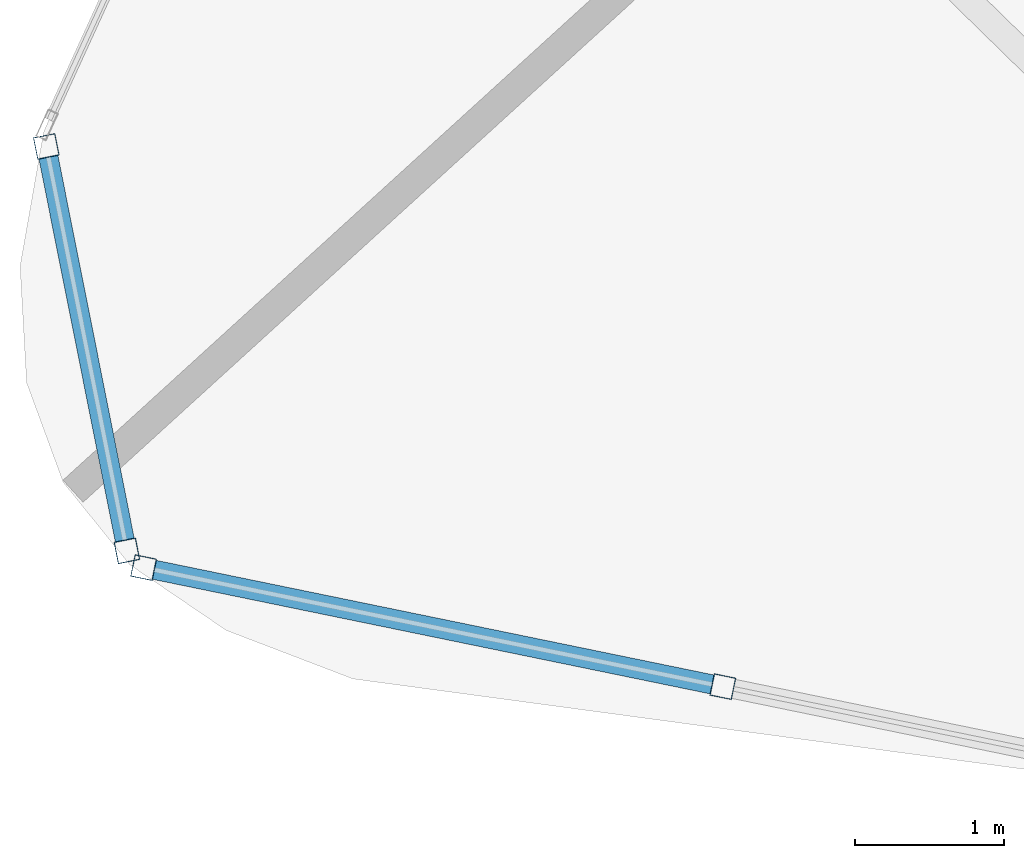
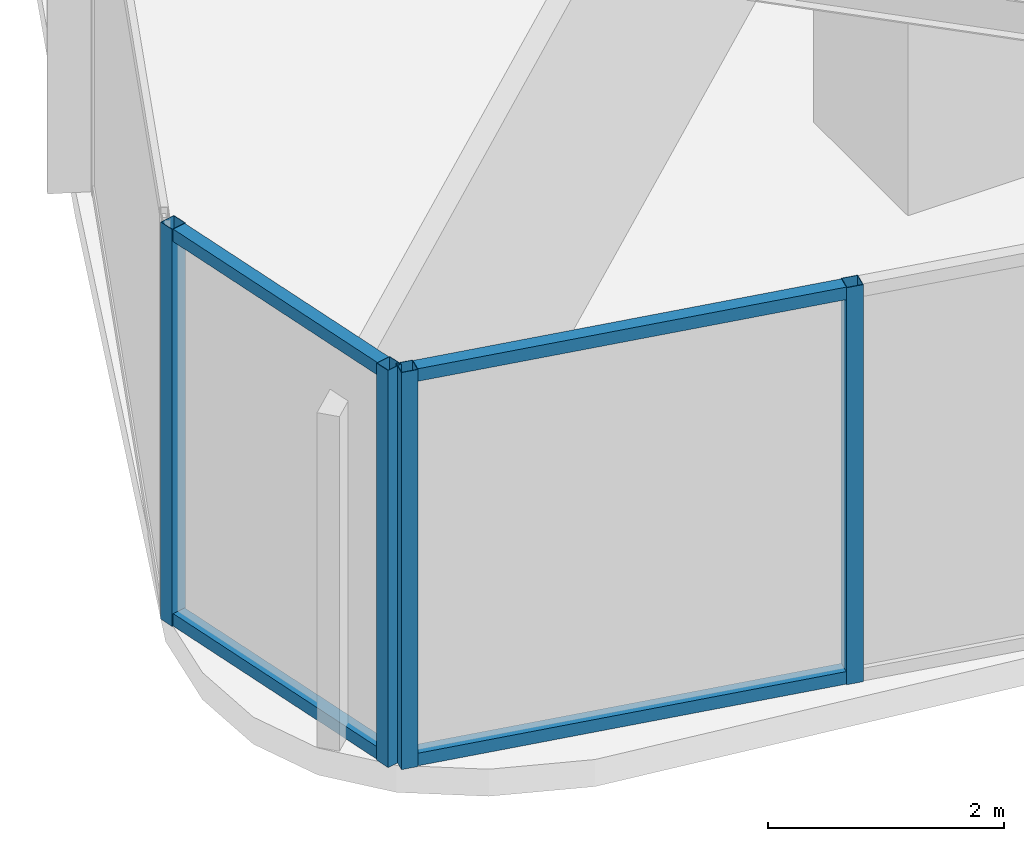
# One storey, part 2 of 33: 8 members, 2 elements without a shape of their own.
"""IFC4 building model written with IfcOpenShell, lengths in metres."""

from ifc_helpers import new_model, si_unit, direction, frame, origin, origin_2d, place, context, subcontext, project, spatial, hollow_rectangle, extrude, material, layer, layer_set, material_profile, profile_set, type_object, element, aggregate, save


model = new_model("IFC4")

# Units and contexts
model_context = context("Model", 3, precision=1e-05, world=origin(), true_north=direction((0.0, 1.0)))
body_context = subcontext(model_context, "Body", "Model", "MODEL_VIEW")
ifc_project = project(units=[si_unit("LENGTHUNIT", "METRE"), si_unit("AREAUNIT", "SQUARE_METRE"), si_unit("VOLUMEUNIT", "CUBIC_METRE"), si_unit("PLANEANGLEUNIT", "RADIAN"), si_unit("MASSUNIT", "GRAM", prefix="KILO")], contexts=[model_context])

# Site, building, storey
site_placement = place(None, origin())
site = spatial("IfcSite", under=ifc_project, at=site_placement, CompositionType="ELEMENT")
building_placement = place(site_placement, origin())
building = spatial("IfcBuilding", under=site, at=building_placement, Name="Orvanel Arch Residences", CompositionType="ELEMENT")
storey_placement = place(building_placement, frame((0.0, 0.0, 59.89990234375)))
storey = spatial("IfcBuildingStorey", under=building, at=storey_placement, Name="L16", CompositionType="ELEMENT", Elevation=59.89990234375)

# Curtain wall, members
ifc_material = material(Name="Bronze-anodised aluminium AA6063-T6", Category="aluminium")
ifc_layer = layer(ifc_material, 0.18994140625)
ifc_layer_set = layer_set([ifc_layer], Name="Bronze-anodised aluminium AA6063-T6")
curtain_wall_type = type_object("IfcCurtainWallType", Name="CW5-CRN-SYS", PredefinedType="NOTDEFINED", material=ifc_layer_set)
curtain_wall_1_placement = place(storey_placement, origin())
curtain_wall_1 = element("IfcCurtainWall", 1, at=curtain_wall_1_placement, inside=storey, type_object=curtain_wall_type, Name="L16 CW5-CRN-SYS Unitised Curtain Wall", PredefinedType="NOTDEFINED")
ifc_material_profile_1 = material_profile(ifc_material, hollow_rectangle(XDim=0.14990234375, YDim=0.14990234375, WallThickness=0.0048828125, at=origin_2d()), Name="ALU150x150x5")
ifc_profile_set_1 = profile_set([ifc_material_profile_1], Name="Bronze-anodised aluminium AA6063-T6")
member_type_1 = type_object("IfcMemberType", Name="MUL-150x150", PredefinedType="MULLION", material=ifc_profile_set_1)
member_1_placement = place(storey_placement, frame((5.019775390625, 7.49853515625, 0.0), z_axis=(0.0, 0.0, 1.0), x_axis=(0.980685747083, 0.1955900444, 0.0)))
member_1 = element("IfcMember", 2, at=member_1_placement, type_object=member_type_1, Name="CW-S5 mullion 1", PredefinedType="MULLION", context=body_context, shape_type="SweptSolid", body=[
    extrude(hollow_rectangle(XDim=0.14990234375, YDim=0.14990234375, WallThickness=0.0048828125, at=origin_2d()), origin(), (0.0, 0.0, 1.0), 4.110107421875),
])
member_2_placement = place(storey_placement, frame((5.562255859375, 4.777587890625, 0.0), z_axis=(0.0, 0.0, 1.0), x_axis=(0.980685747083, 0.1955900444, 0.0)))
member_2 = element("IfcMember", 3, at=member_2_placement, type_object=member_type_1, Name="CW-S5 mullion 2", PredefinedType="MULLION", context=body_context, shape_type="SweptSolid", body=[
    extrude(hollow_rectangle(XDim=0.14990234375, YDim=0.14990234375, WallThickness=0.0048828125, at=origin_2d()), origin(), (0.0, 0.0, 1.0), 4.110107421875),
])

curtain_wall_2_placement = place(storey_placement, origin())
curtain_wall_2 = element("IfcCurtainWall", 4, at=curtain_wall_2_placement, inside=storey, type_object=curtain_wall_type, Name="L16 CW5-CRN-SYS Unitised Curtain Wall", PredefinedType="NOTDEFINED")
member_3_placement = place(storey_placement, frame((5.674560546875, 4.664794921875, 0.0), z_axis=(0.0, 0.0, 1.0), x_axis=(0.201308345149, 0.9795279221, 0.0)))
member_3 = element("IfcMember", 5, at=member_3_placement, type_object=member_type_1, Name="CW-S5 mullion 1", PredefinedType="MULLION", context=body_context, shape_type="SweptSolid", body=[
    extrude(hollow_rectangle(XDim=0.14990234375, YDim=0.14990234375, WallThickness=0.0048828125, at=origin_2d()), origin(), (0.0, 0.0, 1.0), 4.110107421875),
])
member_4_placement = place(storey_placement, frame((9.571533203125, 3.864013671875, 0.0), z_axis=(0.0, 0.0, 1.0), x_axis=(0.201308345149, 0.9795279221, 0.0)))
member_4 = element("IfcMember", 6, at=member_4_placement, type_object=member_type_1, Name="CW-S5 mullion 2", PredefinedType="MULLION", context=body_context, shape_type="SweptSolid", body=[
    extrude(hollow_rectangle(XDim=0.14990234375, YDim=0.14990234375, WallThickness=0.0048828125, at=origin_2d()), origin(), (0.0, 0.0, 1.0), 4.110107421875),
])

# Member
ifc_material_profile_2 = material_profile(ifc_material, hollow_rectangle(XDim=0.1298828125, YDim=0.1298828125, WallThickness=0.00439453125, at=origin_2d()), Name="ALU130x130x4.5")
ifc_profile_set_2 = profile_set([ifc_material_profile_2], Name="Bronze-anodised aluminium AA6063-T6")
member_type_2 = type_object("IfcMemberType", Name="TRN-130x130", PredefinedType="USERDEFINED", material=ifc_profile_set_2)
member_5_placement = place(storey_placement, frame((5.034423828125, 7.4248046875, 0.065185546875), z_axis=(0.195543625319, -0.980695003861, 0.0), x_axis=(0.980695003861, 0.195543625319, 0.0)))
member_5 = element("IfcMember", 7, at=member_5_placement, type_object=member_type_2, Name="CW-S5 transom 1.1", ObjectType="TRANSOM", PredefinedType="USERDEFINED", context=body_context, shape_type="SweptSolid", body=[
    extrude(hollow_rectangle(XDim=0.1298828125, YDim=0.1298828125, WallThickness=0.00439453125, at=origin_2d()), origin(), (0.0, 0.0, 1.0), 2.62451171875),
])

member_6_placement = place(storey_placement, frame((5.034423828125, 7.4248046875, 4.045166015625), z_axis=(0.195543625319, -0.980695003861, 0.0), x_axis=(0.980695003861, 0.195543625319, 0.0)))
member_6 = element("IfcMember", 8, at=member_6_placement, type_object=member_type_2, Name="CW-S5 transom 1.2", ObjectType="TRANSOM", PredefinedType="USERDEFINED", context=body_context, shape_type="SweptSolid", body=[
    extrude(hollow_rectangle(XDim=0.1298828125, YDim=0.1298828125, WallThickness=0.00439453125, at=origin_2d()), origin(), (0.0, 0.0, 1.0), 2.62451171875),
])

aggregate(curtain_wall_1, [member_1, member_2, member_5, member_6])

member_7_placement = place(storey_placement, frame((5.748046875, 4.64990234375, 0.065185546875), z_axis=(0.979524411255, -0.201325427496, 0.0), x_axis=(0.201325427496, 0.979524411255, 0.0)))
member_7 = element("IfcMember", 9, at=member_7_placement, type_object=member_type_2, Name="CW-S5 transom 1.1", ObjectType="TRANSOM", PredefinedType="USERDEFINED", context=body_context, shape_type="SweptSolid", body=[
    extrude(hollow_rectangle(XDim=0.1298828125, YDim=0.1298828125, WallThickness=0.00439453125, at=origin_2d()), origin(), (0.0, 0.0, 1.0), 3.828369140625),
])

member_8_placement = place(storey_placement, frame((5.748046875, 4.64990234375, 4.045166015625), z_axis=(0.979524411255, -0.201325427496, 0.0), x_axis=(0.201325427496, 0.979524411255, 0.0)))
member_8 = element("IfcMember", 10, at=member_8_placement, type_object=member_type_2, Name="CW-S5 transom 1.2", ObjectType="TRANSOM", PredefinedType="USERDEFINED", context=body_context, shape_type="SweptSolid", body=[
    extrude(hollow_rectangle(XDim=0.1298828125, YDim=0.1298828125, WallThickness=0.00439453125, at=origin_2d()), origin(), (0.0, 0.0, 1.0), 3.828369140625),
])

aggregate(curtain_wall_2, [member_3, member_4, member_7, member_8])

save(model, "model.ifc")
